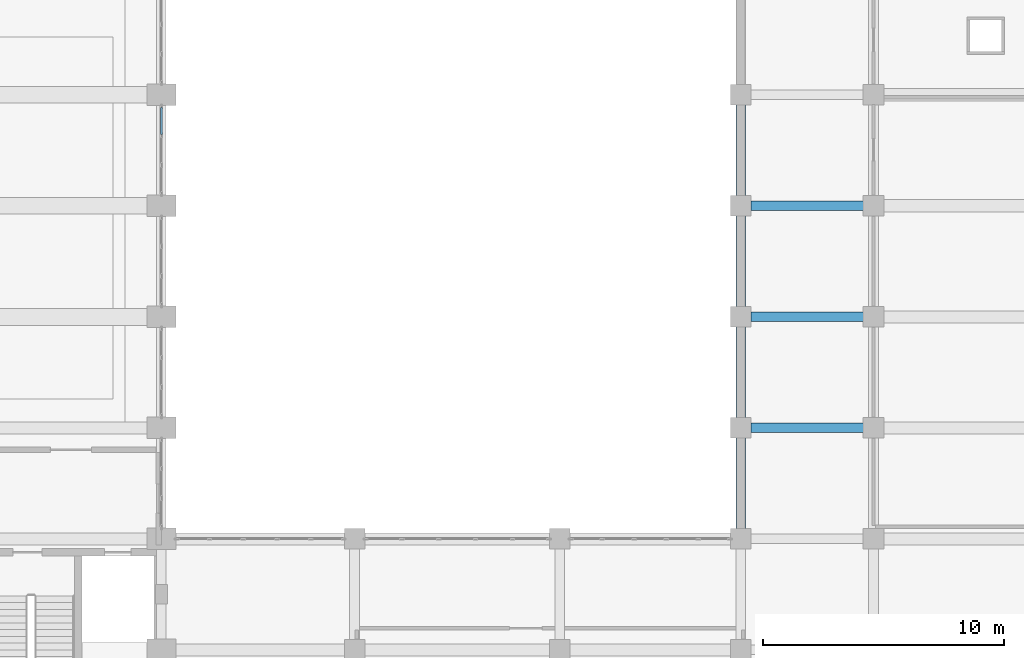
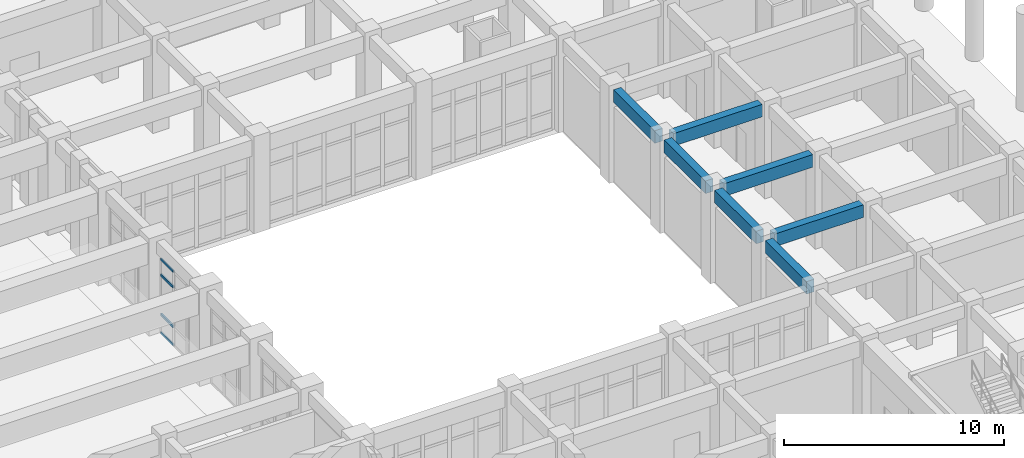
# One storey, part 41 of 84: 7 beams, 4 members, 1 element without a shape of its own.
"""IFC4 building model written with IfcOpenShell, lengths in metres."""

from ifc_helpers import new_model, si_unit, direction, frame, origin, origin_2d, place, context, subcontext, project, spatial, rectangle, hollow_rectangle, extrude, material, layer, layer_set, material_profile, profile_set, type_object, element, aggregate, save


model = new_model("IFC4")

# Units and contexts
model_context = context("Model", 3, precision=1e-05, world=origin(), true_north=direction((0.0, 1.0)))
body_context = subcontext(model_context, "Body", "Model", "MODEL_VIEW")
ifc_project = project(units=[si_unit("LENGTHUNIT", "METRE"), si_unit("AREAUNIT", "SQUARE_METRE"), si_unit("VOLUMEUNIT", "CUBIC_METRE"), si_unit("PLANEANGLEUNIT", "RADIAN"), si_unit("MASSUNIT", "GRAM", prefix="KILO")], contexts=[model_context])

# Site, building, storey
site_placement = place(None, origin())
site = spatial("IfcSite", under=ifc_project, at=site_placement, CompositionType="ELEMENT")
building_placement = place(site_placement, origin())
building = spatial("IfcBuilding", under=site, at=building_placement, Name="Muzn Square Opera House", CompositionType="ELEMENT")
storey_placement = place(building_placement, origin())
storey = spatial("IfcBuildingStorey", under=building, at=storey_placement, Name="L00", CompositionType="ELEMENT", Elevation=0.0)

# Curtain wall, members
ifc_material_1 = material(Name="Low-E laminated acoustic double glazing", Category="glass")
ifc_layer = layer(ifc_material_1, 0.159912109375, Name="Low-E laminated acoustic double glazing", Category="glass")
ifc_layer_set = layer_set([ifc_layer], Name="Low-E laminated acoustic double glazing")
curtain_wall_type = type_object("IfcCurtainWallType", Name="Glazed Curtain Wall EastVaultCourt 3700x4150", PredefinedType="USERDEFINED", material=ifc_layer_set)
curtain_wall_placement = place(storey_placement, origin())
curtain_wall = element("IfcCurtainWall", 1, at=curtain_wall_placement, inside=storey, type_object=curtain_wall_type, Name="Glazed Curtain Wall CW-L00-036", ObjectType="GLAZED CURTAIN WALL", PredefinedType="USERDEFINED")
ifc_material_2 = material(Name="Anodised bronze aluminium 6063-T6", Category="metal")
ifc_material_profile_1 = material_profile(ifc_material_2, hollow_rectangle(XDim=0.070068359375, YDim=0.139892578125, WallThickness=0.00390625, at=origin_2d()), Name="ALU 140x70x4", Category="metal")
ifc_profile_set_1 = profile_set([ifc_material_profile_1], Name="Anodised bronze aluminium 6063-T6")
member_type = type_object("IfcMemberType", Name="Curtain Wall Transom 140x70", PredefinedType="USERDEFINED", material=ifc_profile_set_1)
member_1_placement = place(storey_placement, frame((133.0, 47.95166015625, 0.034912109375), z_axis=(0.0, 1.0, 0.0), x_axis=(-1.0, 0.0, 0.0)))
member_1 = element("IfcMember", 2, at=member_1_placement, type_object=member_type, Name="CW-EVC-37x41 transom 3.1", ObjectType="TRANSOM", PredefinedType="USERDEFINED", context=body_context, shape_type="SweptSolid", body=[
    extrude(hollow_rectangle(XDim=0.070068359375, YDim=0.139892578125, WallThickness=0.00390625, at=origin_2d()), origin(), (0.0, 0.0, 1.0), 1.12841796875),
])
member_2_placement = place(storey_placement, frame((133.0, 47.95166015625, 1.050048828125), z_axis=(0.0, 1.0, 0.0), x_axis=(-1.0, 0.0, 0.0)))
member_2 = element("IfcMember", 3, at=member_2_placement, type_object=member_type, Name="CW-EVC-37x41 transom 3.2", ObjectType="TRANSOM", PredefinedType="USERDEFINED", context=body_context, shape_type="SweptSolid", body=[
    extrude(hollow_rectangle(XDim=0.070068359375, YDim=0.139892578125, WallThickness=0.00390625, at=origin_2d()), origin(), (0.0, 0.0, 1.0), 1.12841796875),
])
member_3_placement = place(storey_placement, frame((133.0, 47.95166015625, 3.25), z_axis=(0.0, 1.0, 0.0), x_axis=(-1.0, 0.0, 0.0)))
member_3 = element("IfcMember", 4, at=member_3_placement, type_object=member_type, Name="CW-EVC-37x41 transom 3.3", ObjectType="TRANSOM", PredefinedType="USERDEFINED", context=body_context, shape_type="SweptSolid", body=[
    extrude(hollow_rectangle(XDim=0.070068359375, YDim=0.139892578125, WallThickness=0.00390625, at=origin_2d()), origin(), (0.0, 0.0, 1.0), 1.12841796875),
])
member_4_placement = place(storey_placement, frame((133.0, 47.95166015625, 4.114990234375), z_axis=(0.0, 1.0, 0.0), x_axis=(-1.0, 0.0, 0.0)))
member_4 = element("IfcMember", 5, at=member_4_placement, type_object=member_type, Name="CW-EVC-37x41 transom 3.4", ObjectType="TRANSOM", PredefinedType="USERDEFINED", context=body_context, shape_type="SweptSolid", body=[
    extrude(hollow_rectangle(XDim=0.070068359375, YDim=0.139892578125, WallThickness=0.00390625, at=origin_2d()), origin(), (0.0, 0.0, 1.0), 1.12841796875),
])
aggregate(curtain_wall, [member_1, member_2, member_3, member_4])

# Beams
ifc_material_3 = material(Name="Concrete C40/50", Category="concrete")
ifc_material_profile_2 = material_profile(ifc_material_3, rectangle(XDim=0.39990234375, YDim=0.699951171875, at=origin_2d()), Name="RCB 400x700", Category="concrete")
ifc_profile_set_2 = profile_set([ifc_material_profile_2], Name="Concrete C40/50")
beam_type = type_object("IfcBeamType", Name="Primary Girder 400x700", PredefinedType="BEAM", material=ifc_profile_set_2)
for number, where, z_axis, x_axis, name in (
    (6, (157.4169921875, 35.800048828125, 4.77001953125), (1.0, 0.0, 0.0), (0.0, 1.0, 0.0), "Primary Girder BM-L00-BM-PG700-1574_358_1621_358-819"),
    (7, (157.4169921875, 40.39990234375, 4.77001953125), (1.0, 0.0, 0.0), (0.0, 1.0, 0.0), "Primary Girder BM-L00-BM-PG700-1574_404_1621_404-825"),
    (8, (157.4169921875, 45.0, 4.77001953125), (1.0, 0.0, 0.0), (0.0, 1.0, 0.0), "Primary Girder BM-L00-BM-PG700-1574_450_1621_450-831"),
):
    element("IfcBeam", number, at=place(storey_placement, frame(where, z_axis=z_axis, x_axis=x_axis)), inside=storey, type_object=beam_type, Name=name, PredefinedType="BEAM", context=body_context, shape_type="SweptSolid", body=[
        extrude(rectangle(XDim=0.39990234375, YDim=0.699951171875, at=origin_2d()), origin(), (0.0, 0.0, 1.0), 4.666015625),
    ])
beam_1_placement = place(storey_placement, frame((157.0, 31.616943359375, 4.77001953125), z_axis=(0.0, 1.0, 0.0), x_axis=(-1.0, 0.0, 0.0)))
element("IfcBeam", 9, at=beam_1_placement, inside=storey, type_object=beam_type, Name="Primary Girder BM-L00-BM-PG700-1570_316_1570_354-1142", PredefinedType="BEAM", context=body_context, shape_type="SweptSolid", body=[
    extrude(rectangle(XDim=0.39990234375, YDim=0.699951171875, at=origin_2d()), origin(), (0.0, 0.0, 1.0), 3.76611328125),
])
beam_2_placement = place(storey_placement, frame((157.0, 36.217041015625, 4.77001953125), z_axis=(0.0, 1.0, 0.0), x_axis=(-1.0, 0.0, 0.0)))
element("IfcBeam", 10, at=beam_2_placement, inside=storey, type_object=beam_type, Name="Primary Girder BM-L00-BM-PG700-1570_362_1570_400-1143", PredefinedType="BEAM", context=body_context, shape_type="SweptSolid", body=[
    extrude(rectangle(XDim=0.39990234375, YDim=0.699951171875, at=origin_2d()), origin(), (0.0, 0.0, 1.0), 3.765869140625),
])
for number, where, z_axis, x_axis, name in (
    (11, (157.0, 40.81689453125, 4.77001953125), (0.0, 1.0, 0.0), (-1.0, 0.0, 0.0), "Primary Girder BM-L00-BM-PG700-1570_408_1570_446-1144"),
    (12, (157.0, 45.4169921875, 4.77001953125), (0.0, 1.0, 0.0), (-1.0, 0.0, 0.0), "Primary Girder BM-L00-BM-PG700-1570_454_1570_492-1145"),
):
    element("IfcBeam", number, at=place(storey_placement, frame(where, z_axis=z_axis, x_axis=x_axis)), inside=storey, type_object=beam_type, Name=name, PredefinedType="BEAM", context=body_context, shape_type="SweptSolid", body=[
        extrude(rectangle(XDim=0.39990234375, YDim=0.699951171875, at=origin_2d()), origin(), (0.0, 0.0, 1.0), 3.76611328125),
    ])

save(model, "model.ifc")
